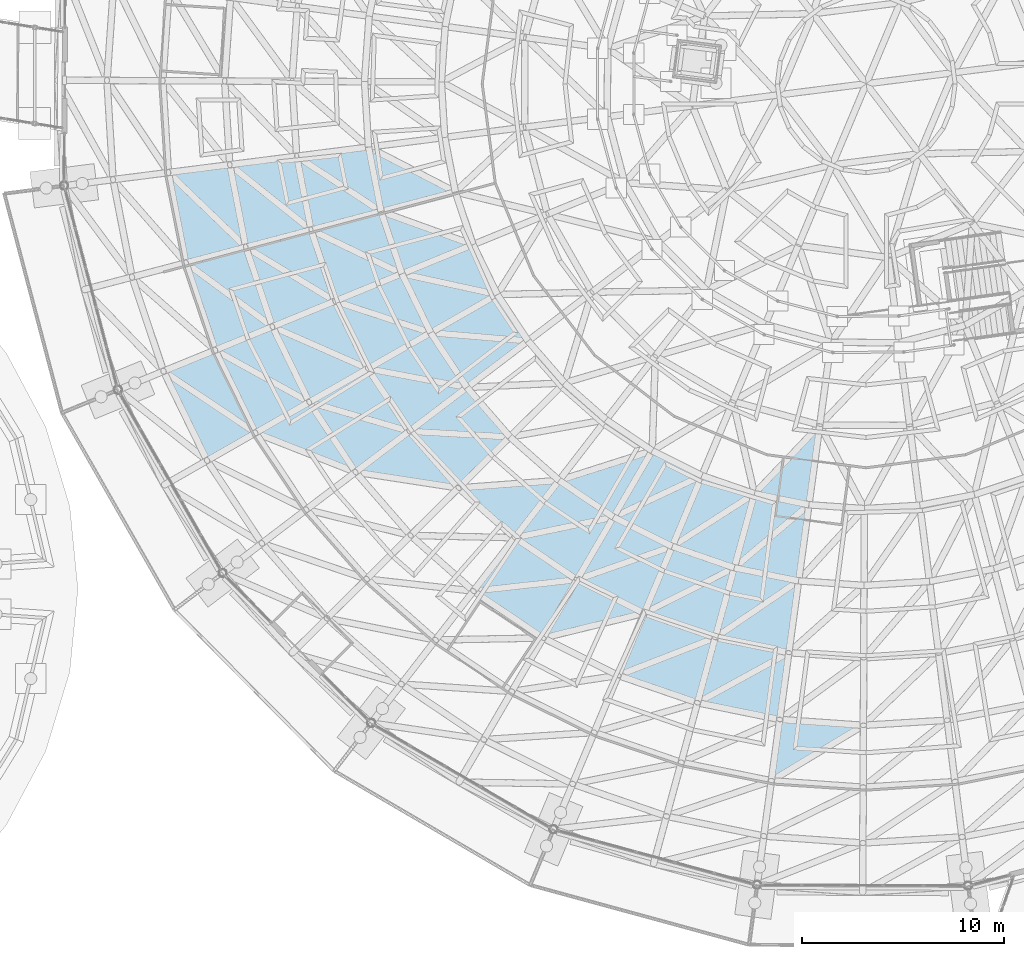
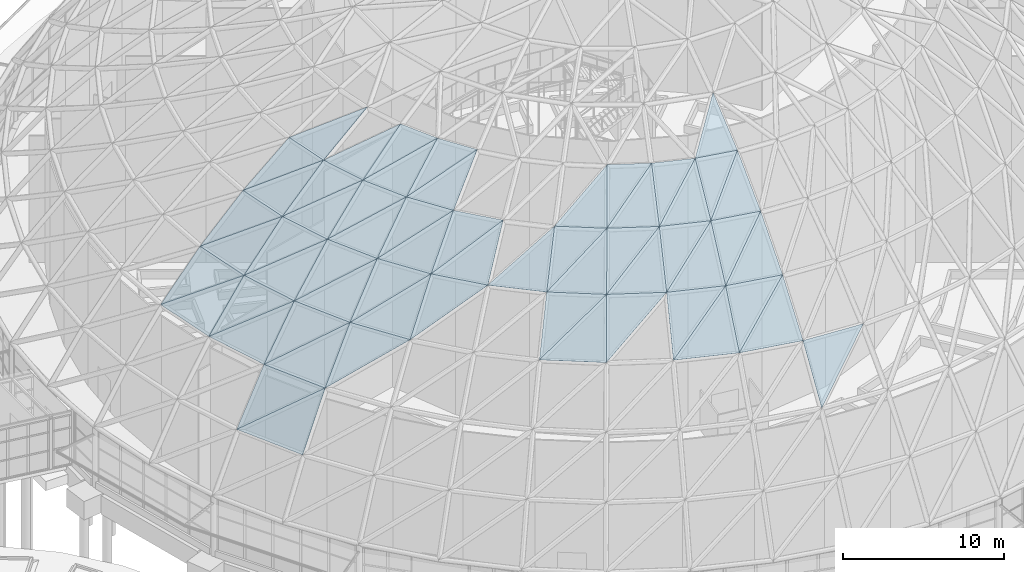
# One storey, part 135 of 226: 59 plates.
"""IFC4 building model written with IfcOpenShell, lengths in metres."""

from ifc_helpers import new_model, si_unit, direction, frame, origin, place, context, subcontext, project, spatial, polyline, outline, extrude, material, layer, layer_set, type_object, element, save


model = new_model("IFC4")

# Units and contexts
model_context = context("Model", 3, precision=1e-05, world=origin(), true_north=direction((0.0, 1.0)))
body_context = subcontext(model_context, "Body", "Model", "MODEL_VIEW")
ifc_project = project(units=[si_unit("LENGTHUNIT", "METRE"), si_unit("AREAUNIT", "SQUARE_METRE"), si_unit("VOLUMEUNIT", "CUBIC_METRE"), si_unit("PLANEANGLEUNIT", "RADIAN"), si_unit("MASSUNIT", "GRAM", prefix="KILO")], contexts=[model_context])

# Site, building, storey
site_placement = place(None, origin())
site = spatial("IfcSite", under=ifc_project, at=site_placement, CompositionType="ELEMENT")
building_placement = place(site_placement, origin())
building = spatial("IfcBuilding", under=site, at=building_placement, Name="Ceibo Conservatory and Research Tower", CompositionType="ELEMENT")
storey_placement = place(building_placement, origin())
storey = spatial("IfcBuildingStorey", under=building, at=storey_placement, Name="L00", CompositionType="ELEMENT", Elevation=0.0)

# Plates
ifc_material = material(Name="Laminated glass", Category="glass")
ifc_layer = layer(ifc_material, 0.035888671875)
ifc_layer_set = layer_set([ifc_layer], Name="Laminated glass")
plate_type = type_object("IfcPlateType", Name="Gridshell roof glass 36", PredefinedType="SHEET", material=ifc_layer_set)
plate_1_placement = place(storey_placement, frame((121.08642578125, 93.716552734375, 8.23291015625), z_axis=(-0.696238671441, -0.339609922317, 0.632389763559), x_axis=(0.438404134249, -0.89877795649, 0.0)))
element("IfcPlate", 1, at=plate_1_placement, inside=storey, type_object=plate_type, Name="Glass panel A-P02-053", PredefinedType="SHEET", context=body_context, shape_type="SweptSolid", body=[
    extrude(outline(polyline([(0.0, 0.0), (4.933999861118422, -2.220446049250313e-16), (4.75320251493428, 4.3725623678107715), (0.0, 0.0)])), origin(), (0.0, 0.0, -1.0), 0.035888671875),
])
plate_2_placement = place(storey_placement, frame((121.08642578125, 93.716552734375, 8.23291015625), z_axis=(-0.696213358112, -0.339440723467, 0.632508462582), x_axis=(0.70745390637, -0.47376541857, 0.524457146513)))
element("IfcPlate", 2, at=plate_2_placement, inside=storey, type_object=plate_type, Name="Glass panel A-P02-054", PredefinedType="SHEET", context=body_context, shape_type="SweptSolid", body=[
    extrude(outline(polyline([(0.0, 0.0), (6.458501049653279, -6.661338147750939e-16), (3.0944110800168136, 3.095406056266225), (0.0, 0.0)])), origin(), (0.0, 0.0, -1.0), 0.035888671875),
])
plate_3_placement = place(storey_placement, frame((121.328369140625, 103.589599609375, 11.6201171875), z_axis=(-0.699347552742, -0.136011723482, 0.701722032965), x_axis=(0.190906820956, -0.981608163023, 0.0)))
element("IfcPlate", 3, at=plate_3_placement, inside=storey, type_object=plate_type, Name="Glass panel A-P03-049", PredefinedType="SHEET", context=body_context, shape_type="SweptSolid", body=[
    extrude(outline(polyline([(0.0, 0.0), (4.571878207421368, 0.0), (4.371438756720874, 4.372217833335619), (0.0, 0.0)])), origin(), (0.0, 0.0, -1.0), 0.035888671875),
])
plate_4_placement = place(storey_placement, frame((121.328369140625, 103.589599609375, 11.6201171875), z_axis=(-0.69929618763, -0.135896628649, 0.701795517432), x_axis=(0.622089393904, -0.599304984847, 0.503823700445)))
element("IfcPlate", 4, at=plate_4_placement, inside=storey, type_object=plate_type, Name="Glass panel A-P03-050", PredefinedType="SHEET", context=body_context, shape_type="SweptSolid", body=[
    extrude(outline(polyline([(0.0, 0.0), (6.182698891738085, 0.0), (3.2349168320961197, 2.9489067703742107), (0.0, 0.0)])), origin(), (0.0, 0.0, -1.0), 0.035888671875),
])
plate_5_placement = place(storey_placement, frame((122.201171875, 99.101806640625, 11.6201171875), z_axis=(-0.675584060145, -0.226069598505, 0.701768276791), x_axis=(0.317332850059, -0.948314221276, 0.0)))
element("IfcPlate", 5, at=plate_5_placement, inside=storey, type_object=plate_type, Name="Glass panel A-P03-051", PredefinedType="SHEET", context=body_context, shape_type="SweptSolid", body=[
    extrude(outline(polyline([(0.0, 0.0), (4.572258226990775, -1.1102230246251565e-16), (4.370779194624383, 4.372497388050967), (0.0, 0.0)])), origin(), (0.0, 0.0, -1.0), 0.035888671875),
])
plate_6_placement = place(storey_placement, frame((122.201171875, 99.101806640625, 11.6201171875), z_axis=(-0.675611970282, -0.226163547666, 0.701711133814), x_axis=(0.695013903086, -0.512928158363, 0.503845590311)))
element("IfcPlate", 6, at=plate_6_placement, inside=storey, type_object=plate_type, Name="Glass panel A-P03-052", PredefinedType="SHEET", context=body_context, shape_type="SweptSolid", body=[
    extrude(outline(polyline([(0.0, 0.0), (6.182430280777446, 2.220446049250313e-16), (3.2346693029564797, 2.9484537059357354), (0.0, 0.0)])), origin(), (0.0, 0.0, -1.0), 0.035888671875),
])
plate_7_placement = place(storey_placement, frame((123.652099609375, 94.765869140625, 11.6201171875), z_axis=(-0.64029597473, -0.31217805054, 0.701830413637), x_axis=(0.438240542436, -0.898857734553, 0.0)))
element("IfcPlate", 7, at=plate_7_placement, inside=storey, type_object=plate_type, Name="Glass panel A-P03-053", PredefinedType="SHEET", context=body_context, shape_type="SweptSolid", body=[
    extrude(outline(polyline([(0.0, 0.0), (4.571503032589862, 0.0), (4.369691083419548, 4.372873133249929), (0.0, 0.0)])), origin(), (0.0, 0.0, -1.0), 0.035888671875),
])
plate_8_placement = place(storey_placement, frame((123.652099609375, 94.765869140625, 11.6201171875), z_axis=(-0.640310852499, -0.312271468521, 0.701775278932), x_axis=(0.756007648785, -0.417792661364, 0.503886621264)))
element("IfcPlate", 8, at=plate_8_placement, inside=storey, type_object=plate_type, Name="Glass panel A-P03-054", PredefinedType="SHEET", context=body_context, shape_type="SweptSolid", body=[
    extrude(outline(polyline([(0.0, 0.0), (6.181926852043411, 0.0), (3.2345170349661716, 2.9491060949903893), (0.0, 0.0)])), origin(), (0.0, 0.0, -1.0), 0.035888671875),
])
plate_9_placement = place(storey_placement, frame((125.655517578125, 90.65673828125, 11.6201171875), z_axis=(-0.594024605118, -0.393138862149, 0.701838018052), x_axis=(0.804105977108, -0.315577242636, 0.503810064915)))
element("IfcPlate", 9, at=plate_9_placement, inside=storey, type_object=plate_type, Name="Glass panel A-P03-056", PredefinedType="SHEET", context=body_context, shape_type="SweptSolid", body=[
    extrude(outline(polyline([(0.0, 0.0), (6.182866225396012, -2.220446049250313e-16), (3.234773136941577, 2.949405067949826), (0.0, 0.0)])), origin(), (0.0, 0.0, -1.0), 0.035888671875),
])
plate_10_placement = place(storey_placement, frame((151.287353515625, 73.36865234375, 11.6201171875), z_axis=(-0.049769631133, -0.710708663855, 0.701723719806), x_axis=(0.73982064844, 0.445764552789, 0.503943817919)))
element("IfcPlate", 10, at=plate_10_placement, inside=storey, type_object=plate_type, Name="Glass panel A-P03-070", PredefinedType="SHEET", context=body_context, shape_type="SweptSolid", body=[
    extrude(outline(polyline([(0.0, 0.0), (6.181225215218037, 0.0), (3.234011481003443, 2.9491590545173043), (0.0, 0.0)])), origin(), (0.0, 0.0, -1.0), 0.035888671875),
])
plate_11_placement = place(storey_placement, frame((124.379150390625, 103.977294921875, 14.735107421875), z_axis=(-0.632180999045, -0.122853903662, 0.765019021202), x_axis=(0.190764654976, -0.981635801309, 0.0)))
element("IfcPlate", 11, at=plate_11_placement, inside=storey, type_object=plate_type, Name="Glass panel A-P04-049", PredefinedType="SHEET", context=body_context, shape_type="SweptSolid", body=[
    extrude(outline(polyline([(0.0, 0.0), (4.169588734096672, -1.1102230246251565e-16), (3.950102299217178, 4.372112161977718), (0.0, 0.0)])), origin(), (0.0, 0.0, -1.0), 0.035888671875),
])
plate_12_placement = place(storey_placement, frame((124.379150390625, 103.977294921875, 14.735107421875), z_axis=(-0.632201146271, -0.122899902835, 0.764994983341), x_axis=(0.685113764587, -0.549789812054, 0.477860117749)))
element("IfcPlate", 12, at=plate_12_placement, inside=storey, type_object=plate_type, Name="Glass panel A-P04-050", PredefinedType="SHEET", context=body_context, shape_type="SweptSolid", body=[
    extrude(outline(polyline([(0.0, 0.0), (5.892255334860694, -4.440892098500626e-16), (3.3911227864377533, 2.768068402707475), (0.0, 0.0)])), origin(), (0.0, 0.0, -1.0), 0.035888671875),
])
plate_13_placement = place(storey_placement, frame((125.174560546875, 99.88427734375, 14.735107421875), z_axis=(-0.610779892155, -0.20446077531, 0.764946870507), x_axis=(0.317439645997, -0.948278477637, 0.0)))
element("IfcPlate", 13, at=plate_13_placement, inside=storey, type_object=plate_type, Name="Glass panel A-P04-051", PredefinedType="SHEET", context=body_context, shape_type="SweptSolid", body=[
    extrude(outline(polyline([(0.0, 0.0), (4.169253414990529, 1.1102230246251565e-16), (3.9511782223790974, 4.371530440920581), (0.0, 0.0)])), origin(), (0.0, 0.0, -1.0), 0.035888671875),
])
plate_14_placement = place(storey_placement, frame((125.174560546875, 99.88427734375, 14.735107421875), z_axis=(-0.610735918392, -0.204308966422, 0.765022538377), x_axis=(0.750998574399, -0.455711868025, 0.477836619141)))
element("IfcPlate", 14, at=plate_14_placement, inside=storey, type_object=plate_type, Name="Glass panel A-P04-052", PredefinedType="SHEET", context=body_context, shape_type="SweptSolid", body=[
    extrude(outline(polyline([(0.0, 0.0), (5.892545098758103, 0.0), (3.390803005428059, 2.768753154470371), (0.0, 0.0)])), origin(), (0.0, 0.0, -1.0), 0.035888671875),
])
plate_15_placement = place(storey_placement, frame((126.498046875, 95.9306640625, 14.735107421875), z_axis=(-0.578859237962, -0.282302296768, 0.765001565923), x_axis=(0.438338260482, -0.898810085278, 0.0)))
element("IfcPlate", 15, at=plate_15_placement, inside=storey, type_object=plate_type, Name="Glass panel A-P04-053", PredefinedType="SHEET", context=body_context, shape_type="SweptSolid", body=[
    extrude(outline(polyline([(0.0, 0.0), (4.169466559322997, 0.0), (3.95052041042427, 4.371971400995099), (0.0, 0.0)])), origin(), (0.0, 0.0, -1.0), 0.035888671875),
])
plate_16_placement = place(storey_placement, frame((126.498046875, 95.9306640625, 14.735107421875), z_axis=(-0.578880737511, -0.282443557744, 0.764933152914), x_axis=(0.804047227385, -0.3537956959, 0.477845855582)))
element("IfcPlate", 16, at=plate_16_placement, inside=storey, type_object=plate_type, Name="Glass panel A-P04-054", PredefinedType="SHEET", context=body_context, shape_type="SweptSolid", body=[
    extrude(outline(polyline([(0.0, 0.0), (5.892431199793323, 4.440892098500626e-16), (3.390734286170372, 2.767807107823177), (0.0, 0.0)])), origin(), (0.0, 0.0, -1.0), 0.035888671875),
])
plate_17_placement = place(storey_placement, frame((128.32568359375, 92.18310546875, 14.735107421875), z_axis=(-0.537006397642, -0.355402928291, 0.765057440624), x_axis=(0.551900429961, -0.833910016374, 0.0)))
element("IfcPlate", 17, at=plate_17_placement, inside=storey, type_object=plate_type, Name="Glass panel A-P04-055", PredefinedType="SHEET", context=body_context, shape_type="SweptSolid", body=[
    extrude(outline(polyline([(0.0, 0.0), (4.170161041619487, 0.0), (3.9502943016100325, 4.37242203896505), (0.0, 0.0)])), origin(), (0.0, 0.0, -1.0), 0.035888671875),
])
plate_18_placement = place(storey_placement, frame((128.32568359375, 92.18310546875, 14.735107421875), z_axis=(-0.53700902409, -0.355533521207, 0.764994917202), x_axis=(0.843382338736, -0.245731020389, 0.47783103324)))
element("IfcPlate", 18, at=plate_18_placement, inside=storey, type_object=plate_type, Name="Glass panel A-P04-056", PredefinedType="SHEET", context=body_context, shape_type="SweptSolid", body=[
    extrude(outline(polyline([(0.0, 0.0), (5.892613983298073, 0.0), (3.3911789072796203, 2.768027631014263), (0.0, 0.0)])), origin(), (0.0, 0.0, -1.0), 0.035888671875),
])
plate_19_placement = place(storey_placement, frame((130.627197265625, 88.70556640625, 14.735107421875), z_axis=(-0.486134532114, -0.422302514767, 0.765071109576), x_axis=(0.868192268699, -0.133634978358, 0.477895257489)))
element("IfcPlate", 19, at=plate_19_placement, inside=storey, type_object=plate_type, Name="Glass panel A-P04-058", PredefinedType="SHEET", context=body_context, shape_type="SweptSolid", body=[
    extrude(outline(polyline([(0.0, 0.0), (5.891822076076023, 0.0), (3.390901302280932, 2.769152258070897), (0.0, 0.0)])), origin(), (0.0, 0.0, -1.0), 0.035888671875),
])
plate_20_placement = place(storey_placement, frame((136.484619140625, 82.7958984375, 14.735107421875), z_axis=(-0.360071574488, -0.533905731117, 0.765044529113), x_axis=(0.829075284435, -0.559136989242, 0.0)))
element("IfcPlate", 20, at=plate_20_placement, inside=storey, type_object=plate_type, Name="Glass panel A-P04-061", PredefinedType="SHEET", context=body_context, shape_type="SweptSolid", body=[
    extrude(outline(polyline([(0.0, 0.0), (4.1703324127007715, 2.220446049250313e-16), (3.950406732332311, 4.372317890358894), (0.0, 0.0)])), origin(), (0.0, 0.0, -1.0), 0.035888671875),
])
plate_21_placement = place(storey_placement, frame((136.484619140625, 82.7958984375, 14.735107421875), z_axis=(-0.360054480753, -0.533949457645, 0.765022056917), x_axis=(0.873213397661, 0.095789968466, 0.477831187855)))
element("IfcPlate", 21, at=plate_21_placement, inside=storey, type_object=plate_type, Name="Glass panel A-P04-062", PredefinedType="SHEET", context=body_context, shape_type="SweptSolid", body=[
    extrude(outline(polyline([(0.0, 0.0), (5.892612076592934, 0.0), (3.39153618929774, 2.7679403775951843), (0.0, 0.0)])), origin(), (0.0, 0.0, -1.0), 0.035888671875),
])
plate_22_placement = place(storey_placement, frame((139.942138671875, 80.464111328125, 14.735107421875), z_axis=(-0.287382364975, -0.576281704311, 0.765056059107), x_axis=(0.853197114139, 0.208969064915, 0.47789812129)))
element("IfcPlate", 22, at=plate_22_placement, inside=storey, type_object=plate_type, Name="Glass panel A-P04-064", PredefinedType="SHEET", context=body_context, shape_type="SweptSolid", body=[
    extrude(outline(polyline([(0.0, 0.0), (5.891786769369395, -2.220446049250313e-16), (3.391016576437981, 2.7688513173445806), (0.0, 0.0)])), origin(), (0.0, 0.0, -1.0), 0.035888671875),
])
plate_23_placement = place(storey_placement, frame((143.673583984375, 78.6044921875, 14.735107421875), z_axis=(-0.209710793197, -0.608957002075, 0.764978923135), x_axis=(0.945504196739, -0.325609910705, 0.0)))
element("IfcPlate", 23, at=plate_23_placement, inside=storey, type_object=plate_type, Name="Glass panel A-P04-065", PredefinedType="SHEET", context=body_context, shape_type="SweptSolid", body=[
    extrude(outline(polyline([(0.0, 0.0), (4.16960900448453, 1.1102230246251565e-16), (3.950562007717788, 4.3717888324906), (0.0, 0.0)])), origin(), (0.0, 0.0, -1.0), 0.035888671875),
])
plate_24_placement = place(storey_placement, frame((143.673583984375, 78.6044921875, 14.735107421875), z_axis=(-0.209692846517, -0.608981395128, 0.764964424342), x_axis=(0.818729426979, 0.318334928516, 0.477854579015)))
element("IfcPlate", 24, at=plate_24_placement, inside=storey, type_object=plate_type, Name="Glass panel A-P04-066", PredefinedType="SHEET", context=body_context, shape_type="SweptSolid", body=[
    extrude(outline(polyline([(0.0, 0.0), (5.8923236310230545, 2.220446049250313e-16), (3.3899891099477335, 2.768980068166276), (0.0, 0.0)])), origin(), (0.0, 0.0, -1.0), 0.035888671875),
])
plate_25_placement = place(storey_placement, frame((147.615966796875, 77.246826171875, 14.735107421875), z_axis=(-0.128461358105, -0.631105080791, 0.764986311298), x_axis=(0.97990602113, -0.199459744694, 0.0)))
element("IfcPlate", 25, at=plate_25_placement, inside=storey, type_object=plate_type, Name="Glass panel A-P04-067", PredefinedType="SHEET", context=body_context, shape_type="SweptSolid", body=[
    extrude(outline(polyline([(0.0, 0.0), (4.16897640185404, 1.1102230246251565e-16), (3.9503910068015955, 4.371848400047367), (0.0, 0.0)])), origin(), (0.0, 0.0, -1.0), 0.035888671875),
])
plate_26_placement = place(storey_placement, frame((147.615966796875, 77.246826171875, 14.735107421875), z_axis=(-0.128448740221, -0.631118219671, 0.764977590479), x_axis=(0.770178367886, 0.422462806056, 0.477860292491)))
element("IfcPlate", 26, at=plate_26_placement, inside=storey, type_object=plate_type, Name="Glass panel A-P04-068", PredefinedType="SHEET", context=body_context, shape_type="SweptSolid", body=[
    extrude(outline(polyline([(0.0, 0.0), (5.892253180203277, -6.661338147750939e-16), (3.3906602591577535, 2.7683825945216305), (0.0, 0.0)])), origin(), (0.0, 0.0, -1.0), 0.035888671875),
])
plate_27_placement = place(storey_placement, frame((127.7041015625, 104.39990234375, 17.55078125), z_axis=(-0.559639191027, -0.108793858736, 0.821564283649), x_axis=(0.190827620624, -0.981623562883, 0.0)))
element("IfcPlate", 27, at=plate_27_placement, inside=storey, type_object=plate_type, Name="Glass panel A-P05-049", PredefinedType="SHEET", context=body_context, shape_type="SweptSolid", body=[
    extrude(outline(polyline([(0.0, 0.0), (3.73066571899013, 0.0), (3.4957060668333306, 4.37008531525886), (0.0, 0.0)])), origin(), (0.0, 0.0, -1.0), 0.035888671875),
])
plate_28_placement = place(storey_placement, frame((127.7041015625, 104.39990234375, 17.55078125), z_axis=(-0.559669848346, -0.108868572224, 0.821533501955), x_axis=(0.748971814786, -0.490749297794, 0.445203714462)))
element("IfcPlate", 28, at=plate_28_placement, inside=storey, type_object=plate_type, Name="Glass panel A-P05-050", PredefinedType="SHEET", context=body_context, shape_type="SweptSolid", body=[
    extrude(outline(polyline([(0.0, 0.0), (5.596213592093898, -2.220446049250313e-16), (3.559321338069287, 2.5458715288218237), (0.0, 0.0)])), origin(), (0.0, 0.0, -1.0), 0.035888671875),
])
plate_29_placement = place(storey_placement, frame((128.416015625, 100.73779296875, 17.55078125), z_axis=(-0.540655760471, -0.180865110902, 0.82157115354), x_axis=(0.317248220716, -0.948342536456, 0.0)))
element("IfcPlate", 29, at=plate_29_placement, inside=storey, type_object=plate_type, Name="Glass panel A-P05-051", PredefinedType="SHEET", context=body_context, shape_type="SweptSolid", body=[
    extrude(outline(polyline([(0.0, 0.0), (3.7315824434050784, 1.1102230246251565e-16), (3.4956492627569684, 4.370161202388543), (0.0, 0.0)])), origin(), (0.0, 0.0, -1.0), 0.035888671875),
])
plate_30_placement = place(storey_placement, frame((128.416015625, 100.73779296875, 17.55078125), z_axis=(-0.540662237575, -0.18088960049, 0.821561499399), x_axis=(0.806598383353, -0.388837221636, 0.44520182282)))
element("IfcPlate", 30, at=plate_30_placement, inside=storey, type_object=plate_type, Name="Glass panel A-P05-052", PredefinedType="SHEET", context=body_context, shape_type="SweptSolid", body=[
    extrude(outline(polyline([(0.0, 0.0), (5.596237370151074, 0.0), (3.559667075945538, 2.5459029850353927), (0.0, 0.0)])), origin(), (0.0, 0.0, -1.0), 0.035888671875),
])
plate_31_placement = place(storey_placement, frame((129.599853515625, 97.198974609375, 17.55078125), z_axis=(-0.512356222357, -0.249985368139, 0.821582872952), x_axis=(0.438502275837, -0.898730078547, 0.0)))
element("IfcPlate", 31, at=plate_31_placement, inside=storey, type_object=plate_type, Name="Glass panel A-P05-053", PredefinedType="SHEET", context=body_context, shape_type="SweptSolid", body=[
    extrude(outline(polyline([(0.0, 0.0), (3.7308502561409647, -2.220446049250313e-16), (3.4961486099480634, 4.370290669564486), (0.0, 0.0)])), origin(), (0.0, 0.0, -1.0), 0.035888671875),
])
plate_32_placement = place(storey_placement, frame((129.599853515625, 97.198974609375, 17.55078125), z_axis=(-0.512359595382, -0.25001167626, 0.821572764126), x_axis=(0.850510471446, -0.280100925125, 0.44516896759)))
element("IfcPlate", 32, at=plate_32_placement, inside=storey, type_object=plate_type, Name="Glass panel A-P05-054", PredefinedType="SHEET", context=body_context, shape_type="SweptSolid", body=[
    extrude(outline(polyline([(0.0, 0.0), (5.596650394595342, 2.220446049250313e-16), (3.559665229671319, 2.546125851811305), (0.0, 0.0)])), origin(), (0.0, 0.0, -1.0), 0.035888671875),
])
plate_33_placement = place(storey_placement, frame((131.23583984375, 93.845947265625, 17.55078125), z_axis=(-0.475431162422, -0.314765129979, 0.821515747108), x_axis=(0.552039554655, -0.833817923828, 0.0)))
element("IfcPlate", 33, at=plate_33_placement, inside=storey, type_object=plate_type, Name="Glass panel A-P05-055", PredefinedType="SHEET", context=body_context, shape_type="SweptSolid", body=[
    extrude(outline(polyline([(0.0, 0.0), (3.730838297969221, 0.0), (3.4965291059106676, 4.369549294933934), (0.0, 0.0)])), origin(), (0.0, 0.0, -1.0), 0.035888671875),
])
plate_34_placement = place(storey_placement, frame((131.23583984375, 93.845947265625, 17.55078125), z_axis=(-0.475431717378, -0.31459254418, 0.821581531716), x_axis=(0.879747643429, -0.16686674284, 0.445196107368)))
element("IfcPlate", 34, at=plate_34_placement, inside=storey, type_object=plate_type, Name="Glass panel A-P05-056", PredefinedType="SHEET", context=body_context, shape_type="SweptSolid", body=[
    extrude(outline(polyline([(0.0, 0.0), (5.596309214950338, -2.220446049250313e-16), (3.55961441177119, 2.5463052917352464), (0.0, 0.0)])), origin(), (0.0, 0.0, -1.0), 0.035888671875),
])
plate_35_placement = place(storey_placement, frame((133.29541015625, 90.735107421875, 17.55078125), z_axis=(-0.430345497289, -0.37383887323, 0.821612591083), x_axis=(0.655804436885, -0.754930818395, 0.0)))
element("IfcPlate", 35, at=plate_35_placement, inside=storey, type_object=plate_type, Name="Glass panel A-P05-057", PredefinedType="SHEET", context=body_context, shape_type="SweptSolid", body=[
    extrude(outline(polyline([(0.0, 0.0), (3.731328040413893, 0.0), (3.4945821449068966, 4.370619032784091), (0.0, 0.0)])), origin(), (0.0, 0.0, -1.0), 0.035888671875),
])
plate_36_placement = place(storey_placement, frame((133.29541015625, 90.735107421875, 17.55078125), z_axis=(-0.430308562674, -0.374112664244, 0.821507306931), x_axis=(0.893986690713, -0.050608782452, 0.445226400797)))
element("IfcPlate", 36, at=plate_36_placement, inside=storey, type_object=plate_type, Name="Glass panel A-P05-058", PredefinedType="SHEET", context=body_context, shape_type="SweptSolid", body=[
    extrude(outline(polyline([(0.0, 0.0), (5.595928439252654, 0.0), (3.559258005144204, 2.54549490102763), (0.0, 0.0)])), origin(), (0.0, 0.0, -1.0), 0.035888671875),
])
plate_37_placement = place(storey_placement, frame((135.742431640625, 87.918212890625, 17.55078125), z_axis=(-0.377667953538, -0.426937098968, 0.821639598848), x_axis=(0.749002807027, -0.662566823094, 0.0)))
element("IfcPlate", 37, at=plate_37_placement, inside=storey, type_object=plate_type, Name="Glass panel A-P05-059", PredefinedType="SHEET", context=body_context, shape_type="SweptSolid", body=[
    extrude(outline(polyline([(0.0, 0.0), (3.7311979449936565, 2.220446049250313e-16), (3.496059137238818, 4.370917523003129), (0.0, 0.0)])), origin(), (0.0, 0.0, -1.0), 0.035888671875),
])
plate_38_placement = place(storey_placement, frame((138.537109375, 85.446044921875, 17.55078125), z_axis=(-0.318754400995, -0.472702739811, 0.821552038292), x_axis=(0.829108814553, -0.55908726835, 0.0)))
element("IfcPlate", 38, at=plate_38_placement, inside=storey, type_object=plate_type, Name="Glass panel A-P05-061", PredefinedType="SHEET", context=body_context, shape_type="SweptSolid", body=[
    extrude(outline(polyline([(0.0, 0.0), (3.7305327404984956, 0.0), (3.4956994673408075, 4.369950060293001), (0.0, 0.0)])), origin(), (0.0, 0.0, -1.0), 0.035888671875),
])
plate_39_placement = place(storey_placement, frame((138.537109375, 85.446044921875, 17.55078125), z_axis=(-0.318845757751, -0.472484247796, 0.821642269086), x_axis=(0.876595165131, 0.182665801842, 0.445212445138)))
element("IfcPlate", 39, at=plate_39_placement, inside=storey, type_object=plate_type, Name="Glass panel A-P05-062", PredefinedType="SHEET", context=body_context, shape_type="SweptSolid", body=[
    extrude(outline(polyline([(0.0, 0.0), (5.596103849592286, -2.220446049250313e-16), (3.560502186087077, 2.5461803617727696), (0.0, 0.0)])), origin(), (0.0, 0.0, -1.0), 0.035888671875),
])
plate_40_placement = place(storey_placement, frame((141.630126953125, 83.3603515625, 17.55078125), z_axis=(-0.254426703486, -0.510196421829, 0.821563548185), x_axis=(0.894897831278, -0.446271074095, 0.0)))
element("IfcPlate", 40, at=plate_40_placement, inside=storey, type_object=plate_type, Name="Glass panel A-P05-063", PredefinedType="SHEET", context=body_context, shape_type="SweptSolid", body=[
    extrude(outline(polyline([(0.0, 0.0), (3.731003775851083, 0.0), (3.4958935803363858, 4.370077191346767), (0.0, 0.0)])), origin(), (0.0, 0.0, -1.0), 0.035888671875),
])
plate_41_placement = place(storey_placement, frame((141.630126953125, 83.3603515625, 17.55078125), z_axis=(-0.254409059279, -0.510226759322, 0.821550171705), x_axis=(0.845324996927, 0.295342428095, 0.445194900843)))
element("IfcPlate", 41, at=plate_41_placement, inside=storey, type_object=plate_type, Name="Glass panel A-P05-064", PredefinedType="SHEET", context=body_context, shape_type="SweptSolid", body=[
    extrude(outline(polyline([(0.0, 0.0), (5.596324381535295, 2.220446049250313e-16), (3.5592323852402186, 2.5462668798643193), (0.0, 0.0)])), origin(), (0.0, 0.0, -1.0), 0.035888671875),
])
plate_42_placement = place(storey_placement, frame((144.968994140625, 81.6953125, 17.55078125), z_axis=(-0.185617252965, -0.539062040255, 0.821558489797), x_axis=(0.945516789893, -0.32557334048, 0.0)))
element("IfcPlate", 42, at=plate_42_placement, inside=storey, type_object=plate_type, Name="Glass panel A-P05-065", PredefinedType="SHEET", context=body_context, shape_type="SweptSolid", body=[
    extrude(outline(polyline([(0.0, 0.0), (3.7321479972352876, 0.0), (3.4962116485441794, 4.370021317980223), (0.0, 0.0)])), origin(), (0.0, 0.0, -1.0), 0.035888671875),
])
plate_43_placement = place(storey_placement, frame((144.968994140625, 81.6953125, 17.55078125), z_axis=(-0.185620139564, -0.53905830319, 0.821560289662), x_axis=(0.799540035238, 0.403172686909, 0.445182565452)))
element("IfcPlate", 43, at=plate_43_placement, inside=storey, type_object=plate_type, Name="Glass panel A-P05-066", PredefinedType="SHEET", context=body_context, shape_type="SweptSolid", body=[
    extrude(outline(polyline([(0.0, 0.0), (5.596479447922382, 0.0), (3.5596637295951297, 2.5459076170531194), (0.0, 0.0)])), origin(), (0.0, 0.0, -1.0), 0.035888671875),
])
plate_44_placement = place(storey_placement, frame((148.497802734375, 80.480224609375, 17.55078125), z_axis=(-0.113687751386, -0.55859178634, 0.821614454241), x_axis=(0.979910661616, -0.199436945553, 0.0)))
element("IfcPlate", 44, at=plate_44_placement, inside=storey, type_object=plate_type, Name="Glass panel A-P05-067", PredefinedType="SHEET", context=body_context, shape_type="SweptSolid", body=[
    extrude(outline(polyline([(0.0, 0.0), (3.7312074898449956, 0.0), (3.4951544007870523, 4.370639622162836), (0.0, 0.0)])), origin(), (0.0, 0.0, -1.0), 0.035888671875),
])
plate_45_placement = place(storey_placement, frame((148.497802734375, 80.480224609375, 17.55078125), z_axis=(-0.113590330853, -0.558688557011, 0.821562129727), x_axis=(0.739973173866, 0.504221786555, 0.445196689029)))
element("IfcPlate", 45, at=plate_45_placement, inside=storey, type_object=plate_type, Name="Glass panel A-P05-068", PredefinedType="SHEET", context=body_context, shape_type="SweptSolid", body=[
    extrude(outline(polyline([(0.0, 0.0), (5.5963019032358154, 3.3306690738754696e-16), (3.5594281909466803, 2.5462174364592935), (0.0, 0.0)])), origin(), (0.0, 0.0, -1.0), 0.035888671875),
])
plate_46_placement = place(storey_placement, frame((131.27294921875, 104.85400390625, 20.042236328125), z_axis=(-0.481870066812, -0.093734737232, 0.871214690961), x_axis=(0.190943814738, -0.98160096761, 0.0)))
element("IfcPlate", 46, at=plate_46_placement, inside=storey, type_object=plate_type, Name="Glass panel A-P06-049", PredefinedType="SHEET", context=body_context, shape_type="SweptSolid", body=[
    extrude(outline(polyline([(0.0, 0.0), (3.2604281767539405, 1.1102230246251565e-16), (3.011051529178231, 4.371037627159272), (0.0, 0.0)])), origin(), (0.0, 0.0, -1.0), 0.035888671875),
])
plate_47_placement = place(storey_placement, frame((131.8955078125, 101.653564453125, 20.042236328125), z_axis=(-0.465599720078, -0.155775901293, 0.871177805755), x_axis=(0.317283434313, -0.948330755755, 0.0)))
element("IfcPlate", 47, at=plate_47_placement, inside=storey, type_object=plate_type, Name="Glass panel A-P06-051", PredefinedType="SHEET", context=body_context, shape_type="SweptSolid", body=[
    extrude(outline(polyline([(0.0, 0.0), (3.2602516118319063, 0.0), (3.0105649577236844, 4.370454885644657), (0.0, 0.0)])), origin(), (0.0, 0.0, -1.0), 0.035888671875),
])
plate_48_placement = place(storey_placement, frame((132.929931640625, 98.561767578125, 20.042236328125), z_axis=(-0.441206361546, -0.215291648719, 0.871198285423), x_axis=(0.438537216855, -0.898713029522, 0.0)))
element("IfcPlate", 48, at=plate_48_placement, inside=storey, type_object=plate_type, Name="Glass panel A-P06-053", PredefinedType="SHEET", context=body_context, shape_type="SweptSolid", body=[
    extrude(outline(polyline([(0.0, 0.0), (3.2606848077332447, 0.0), (3.0112453088253677, 4.370778407725669), (0.0, 0.0)])), origin(), (0.0, 0.0, -1.0), 0.035888671875),
])
plate_49_placement = place(storey_placement, frame((132.929931640625, 98.561767578125, 20.042236328125), z_axis=(-0.44121363703, -0.215375465247, 0.871173883601), x_axis=(0.893552296286, -0.195260449796, 0.404274226915)))
element("IfcPlate", 49, at=plate_49_placement, inside=storey, type_object=plate_type, Name="Glass panel A-P06-054", PredefinedType="SHEET", context=body_context, shape_type="SweptSolid", body=[
    extrude(outline(polyline([(0.0, 0.0), (5.307664476901654, 1.1102230246251565e-16), (3.7409298838478167, 2.273469361313094), (0.0, 0.0)])), origin(), (0.0, 0.0, -1.0), 0.035888671875),
])
plate_50_placement = place(storey_placement, frame((134.35986328125, 95.63134765625, 20.042236328125), z_axis=(-0.409429911363, -0.270919235657, 0.871188794368), x_axis=(0.551828612564, -0.833957542298, 0.0)))
element("IfcPlate", 50, at=plate_50_placement, inside=storey, type_object=plate_type, Name="Glass panel A-P06-055", PredefinedType="SHEET", context=body_context, shape_type="SweptSolid", body=[
    extrude(outline(polyline([(0.0, 0.0), (3.2606435499784197, 0.0), (3.009574685567654, 4.370628465448766), (0.0, 0.0)])), origin(), (0.0, 0.0, -1.0), 0.035888671875),
])
plate_51_placement = place(storey_placement, frame((134.35986328125, 95.63134765625, 20.042236328125), z_axis=(-0.409432041815, -0.270871070921, 0.87120276978), x_axis=(0.911353352823, -0.077015776295, 0.404355829066)))
element("IfcPlate", 51, at=plate_51_placement, inside=storey, type_object=plate_type, Name="Glass panel A-P06-056", PredefinedType="SHEET", context=body_context, shape_type="SweptSolid", body=[
    extrude(outline(polyline([(0.0, 0.0), (5.306593348938722, 1.1102230246251565e-16), (3.7408566000053782, 2.2741846563664385), (0.0, 0.0)])), origin(), (0.0, 0.0, -1.0), 0.035888671875),
])
plate_52_placement = place(storey_placement, frame((140.740478515625, 88.291748046875, 20.042236328125), z_axis=(-0.274629343555, -0.406961785308, 0.871183579366), x_axis=(0.828914653814, -0.559375094808, 0.0)))
element("IfcPlate", 52, at=plate_52_placement, inside=storey, type_object=plate_type, Name="Glass panel A-P06-061", PredefinedType="SHEET", context=body_context, shape_type="SweptSolid", body=[
    extrude(outline(polyline([(0.0, 0.0), (3.259863274301928, 0.0), (3.0104385485394936, 4.370546084690857), (0.0, 0.0)])), origin(), (0.0, 0.0, -1.0), 0.035888671875),
])
plate_53_placement = place(storey_placement, frame((143.442626953125, 86.46826171875, 20.042236328125), z_axis=(-0.219080061471, -0.439373150127, 0.871180326691), x_axis=(0.894920786827, -0.44622503886, 0.0)))
element("IfcPlate", 53, at=plate_53_placement, inside=storey, type_object=plate_type, Name="Glass panel A-P06-063", PredefinedType="SHEET", context=body_context, shape_type="SweptSolid", body=[
    extrude(outline(polyline([(0.0, 0.0), (3.2608616690781957, 0.0), (3.011763968177683, 4.3704947051715415), (0.0, 0.0)])), origin(), (0.0, 0.0, -1.0), 0.035888671875),
])
plate_54_placement = place(storey_placement, frame((143.442626953125, 86.46826171875, 20.042236328125), z_axis=(-0.219079391027, -0.439374201698, 0.871179964938), x_axis=(0.827904044198, 0.388768541672, 0.404269606337)))
element("IfcPlate", 54, at=plate_54_placement, inside=storey, type_object=plate_type, Name="Glass panel A-P06-064", PredefinedType="SHEET", context=body_context, shape_type="SweptSolid", body=[
    extrude(outline(polyline([(0.0, 0.0), (5.307725140580083, -3.3306690738754696e-16), (3.7408477222334784, 2.2737511058356494), (0.0, 0.0)])), origin(), (0.0, 0.0, -1.0), 0.035888671875),
])
plate_55_placement = place(storey_placement, frame((146.36083984375, 85.01318359375, 20.042236328125), z_axis=(-0.159839575411, -0.46418912574, 0.871194447685), x_axis=(0.94551453646, -0.325579884733, 0.0)))
element("IfcPlate", 55, at=plate_55_placement, inside=storey, type_object=plate_type, Name="Glass panel A-P06-065", PredefinedType="SHEET", context=body_context, shape_type="SweptSolid", body=[
    extrude(outline(polyline([(0.0, 0.0), (3.260408542651373, 0.0), (3.011258690738724, 4.370717776040065), (0.0, 0.0)])), origin(), (0.0, 0.0, -1.0), 0.035888671875),
])
plate_56_placement = place(storey_placement, frame((146.36083984375, 85.01318359375, 20.042236328125), z_axis=(-0.159796843866, -0.464240002256, 0.871175176986), x_axis=(0.770008481152, 0.493605795176, 0.404277451663)))
element("IfcPlate", 56, at=plate_56_placement, inside=storey, type_object=plate_type, Name="Glass panel A-P06-066", PredefinedType="SHEET", context=body_context, shape_type="SweptSolid", body=[
    extrude(outline(polyline([(0.0, 0.0), (5.307622139936312, -2.220446049250313e-16), (3.740847783150219, 2.2736163915283716), (0.0, 0.0)])), origin(), (0.0, 0.0, -1.0), 0.035888671875),
])
plate_57_placement = place(storey_placement, frame((149.443603515625, 83.95166015625, 20.042236328125), z_axis=(-0.097821055585, -0.481128138103, 0.871175502301), x_axis=(0.97995078776, -0.19923968874, 0.0)))
element("IfcPlate", 57, at=plate_57_placement, inside=storey, type_object=plate_type, Name="Glass panel A-P06-067", PredefinedType="SHEET", context=body_context, shape_type="SweptSolid", body=[
    extrude(outline(polyline([(0.0, 0.0), (3.260686699691317, 0.0), (3.0112605617994657, 4.370418502422462), (0.0, 0.0)])), origin(), (0.0, 0.0, -1.0), 0.035888671875),
])
plate_58_placement = place(storey_placement, frame((149.443603515625, 83.95166015625, 20.042236328125), z_axis=(-0.097859681902, -0.48109278401, 0.871190688559), x_axis=(0.698927704777, 0.58995312714, 0.404296143036)))
element("IfcPlate", 58, at=plate_58_placement, inside=storey, type_object=plate_type, Name="Glass panel A-P06-068", PredefinedType="SHEET", context=body_context, shape_type="SweptSolid", body=[
    extrude(outline(polyline([(0.0, 0.0), (5.307376758565894, -6.661338147750939e-16), (3.741199134528241, 2.273472797793244), (0.0, 0.0)])), origin(), (0.0, 0.0, -1.0), 0.035888671875),
])
plate_59_placement = place(storey_placement, frame((153.6923828125, 91.044189453125, 23.970458984375), z_axis=(-0.081312869546, -0.399746187862, 0.91301215903), x_axis=(-0.644549380472, -0.677625578929, -0.35408991925)))
element("IfcPlate", 59, at=plate_59_placement, inside=storey, type_object=plate_type, Name="Glass panel A-P07-052", PredefinedType="SHEET", context=body_context, shape_type="SweptSolid", body=[
    extrude(outline(polyline([(0.0, 0.0), (5.0339493055935876, -2.7755575615628914e-16), (3.663128106836253, 2.3963389062024545), (0.0, 0.0)])), origin(), (0.0, 0.0, -1.0), 0.035888671875),
])

save(model, "model.ifc")
